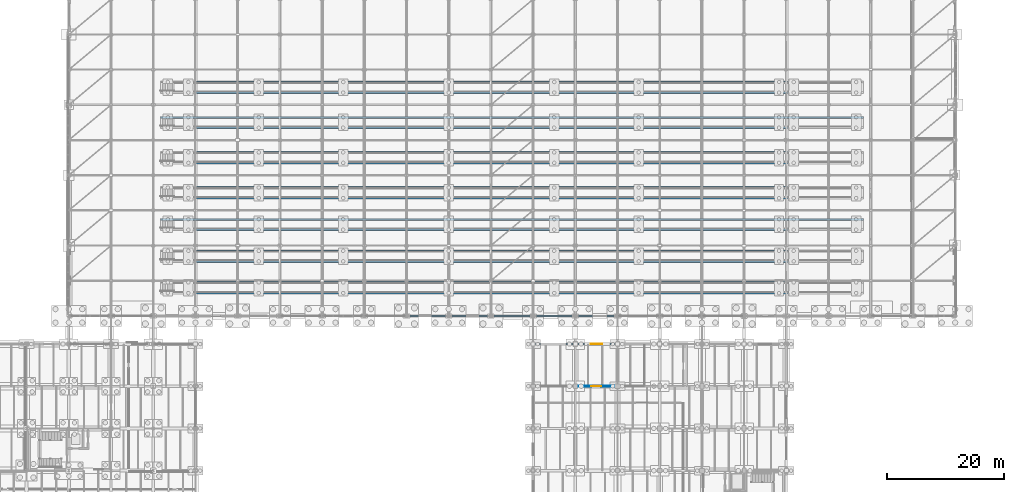
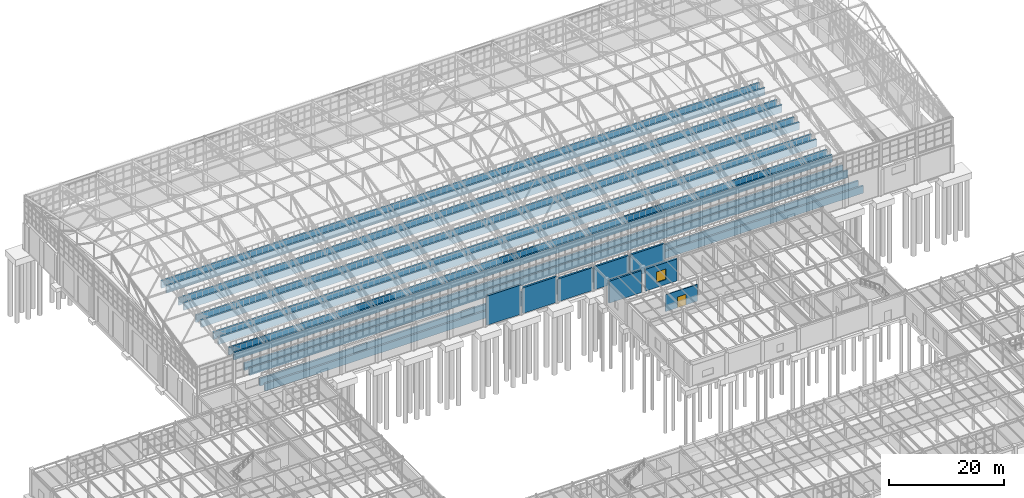
# One storey, part 269 of 293: 22 walls, 1 door, 1 window, 2 openings.
"""IFC4 building model written with IfcOpenShell, lengths in metres."""

from ifc_helpers import new_model, si_unit, direction, frame, frame_2d, origin, place, context, subcontext, project, spatial, rectangle, extrude, material, layer, layer_set, type_object, element, fill, save


model = new_model("IFC4")

# Units and contexts
model_context = context("Model", 3, precision=1e-05, world=origin(), true_north=direction((0.0, 1.0)))
body_context = subcontext(model_context, "Body", "Model", "MODEL_VIEW")
ifc_project = project(units=[si_unit("LENGTHUNIT", "METRE"), si_unit("AREAUNIT", "SQUARE_METRE"), si_unit("VOLUMEUNIT", "CUBIC_METRE"), si_unit("PLANEANGLEUNIT", "RADIAN"), si_unit("MASSUNIT", "GRAM", prefix="KILO")], contexts=[model_context])

# Site, building, storey
site_placement = place(None, origin())
site = spatial("IfcSite", under=ifc_project, at=site_placement, CompositionType="ELEMENT")
building_placement = place(site_placement, origin())
building = spatial("IfcBuilding", under=site, at=building_placement, Name="Kemerveld Promenade Tramway Depot", CompositionType="ELEMENT")
storey_placement = place(building_placement, origin())
storey = spatial("IfcBuildingStorey", under=building, at=storey_placement, Name="L00", CompositionType="ELEMENT", Elevation=0.0)

# Walls
ifc_material_1 = material(Name="Harare granite ashlar and clay brick cavity masonry", Category="masonry")
ifc_layer_1 = layer(ifc_material_1, 0.3798828125)
ifc_layer_set_1 = layer_set([ifc_layer_1], Name="WL-EXT-380")
wall_type_1 = type_object("IfcWallType", Name="WL-EXT-380", PredefinedType="SOLIDWALL", material=ifc_layer_set_1)
wall_1_placement = place(storey_placement, frame((100.576904296875, 84.0, 0.0), z_axis=(0.0, 0.0, 1.0), x_axis=(-1.0, 0.0, 0.0)))
element("IfcWall", 1, at=wall_1_placement, inside=storey, type_object=wall_type_1, Name="WL-V1-S-09", PredefinedType="SOLIDWALL", context=body_context, shape_type="SweptSolid", body=[
    extrude(rectangle(XDim=6.753662109375, YDim=0.3798828125, at=frame_2d((3.376953125, 0.0))), origin(), (0.0, 0.0, 1.0), 6.199951171875),
])
wall_2_placement = place(storey_placement, frame((107.77685546875, 84.0, 0.0), z_axis=(0.0, 0.0, 1.0), x_axis=(-1.0, 0.0, 0.0)))
element("IfcWall", 2, at=wall_2_placement, inside=storey, type_object=wall_type_1, Name="WL-V1-S-10", PredefinedType="SOLIDWALL", context=body_context, shape_type="SweptSolid", body=[
    extrude(rectangle(XDim=6.753662109375, YDim=0.3798828125, at=frame_2d((3.376953125, 0.0))), origin(), (0.0, 0.0, 1.0), 5.443359375),
])
for number, where, z_axis, x_axis, name in (
    (3, (114.976806640625, 84.0, 0.0), (0.0, 0.0, 1.0), (-1.0, 0.0, 0.0), "WL-V1-S-11"),
    (4, (122.1767578125, 84.0, 0.0), (0.0, 0.0, 1.0), (-1.0, 0.0, 0.0), "WL-V1-S-12"),
):
    element("IfcWall", number, at=place(storey_placement, frame(where, z_axis=z_axis, x_axis=x_axis)), inside=storey, type_object=wall_type_1, Name=name, PredefinedType="SOLIDWALL", context=body_context, shape_type="SweptSolid", body=[
        extrude(rectangle(XDim=6.753662109375, YDim=0.3798828125, at=frame_2d((3.376953125, 0.0))), origin(), (0.0, 0.0, 1.0), 4.843505859375),
    ])
wall_3_placement = place(storey_placement, frame((129.376708984375, 84.0, 0.0), z_axis=(0.0, 0.0, 1.0), x_axis=(-1.0, 0.0, 0.0)))
element("IfcWall", 5, at=wall_3_placement, inside=storey, type_object=wall_type_1, Name="WL-V1-S-13", PredefinedType="SOLIDWALL", context=body_context, shape_type="SweptSolid", body=[
    extrude(rectangle(XDim=6.75341796875, YDim=0.3798828125, at=frame_2d((3.376708984375, 0.0))), origin(), (0.0, 0.0, 1.0), 4.843505859375),
])
wall_4_placement = place(storey_placement, frame((115.570068359375, 79.199951171875, 0.0), z_axis=(0.0, 0.0, 1.0), x_axis=(1.0, 0.0, 0.0)))
element("IfcWall", 6, at=wall_4_placement, inside=storey, type_object=wall_type_1, Name="WL-L00-V3N-01", PredefinedType="SOLIDWALL", context=body_context, shape_type="SweptSolid", body=[
    extrude(rectangle(XDim=6.409912109375, YDim=0.3798828125, at=frame_2d((3.205078125, 0.0))), origin(), (0.0, 0.0, 1.0), 4.64990234375),
])

# Wall, opening, window
wall_5_placement = place(storey_placement, frame((122.820068359375, 79.199951171875, 0.0), z_axis=(0.0, 0.0, 1.0), x_axis=(1.0, 0.0, 0.0)))
wall_5 = element("IfcWall", 7, at=wall_5_placement, inside=storey, type_object=wall_type_1, Name="WL-L00-V3N-02", PredefinedType="SOLIDWALL", context=body_context, shape_type="SweptSolid", body=[
    extrude(rectangle(XDim=6.3349609375, YDim=0.3798828125, at=frame_2d((3.16748046875, 0.0))), origin(), (0.0, 0.0, 1.0), 4.64990234375),
])
opening_1_placement = place(wall_5_placement, frame((2.19189453125, 0.0, 1.050048828125)))
opening_1 = element("IfcOpeningElement", 8, at=opening_1_placement, cuts=wall_5, Name="Opening W-122", PredefinedType="OPENING", context=body_context, shape_type="SweptSolid", body=[
    extrude(rectangle(XDim=1.949951171875, YDim=2.25, at=frame_2d((0.97509765625, 1.125))), frame((0.0, 0.199951171875, 0.0), z_axis=(0.0, -1.0, 0.0), x_axis=(1.0, 0.0, 0.0)), (0.0, 0.0, 1.0), 0.39990234375),
])
ifc_material_2 = material(Name="Bronze anodised aluminium and low-e glass", Category="aluminium")
window_type = type_object("IfcWindowType", Name="WN-15", PartitioningType="SINGLE_PANEL", PredefinedType="WINDOW", material=ifc_material_2)
window_placement = place(opening_1_placement, origin())
window = element("IfcWindow", 9, at=window_placement, inside=storey, type_object=window_type, Name="WN-L00-V3N-02", OverallHeight=2.25, OverallWidth=1.949951171875, PartitioningType="SINGLE_PANEL", PredefinedType="WINDOW", context=body_context, shape_type="SweptSolid", body=[
    extrude(rectangle(XDim=1.949951171875, YDim=2.25, at=frame_2d((0.97509765625, 1.125))), frame((0.0, 0.030029296875, 0.0), z_axis=(0.0, -1.0, 0.0), x_axis=(1.0, 0.0, 0.0)), (0.0, 0.0, 1.0), 0.06005859375),
])
fill(opening_1, window)

# Walls
ifc_material_3 = material(Name="Concrete C40/50", Category="concrete")
ifc_layer_2 = layer(ifc_material_3, 0.35009765625)
ifc_layer_set_2 = layer_set([ifc_layer_2], Name="WL-PIT350")
wall_type_2 = type_object("IfcWallType", Name="WL-PIT350", PredefinedType="USERDEFINED", material=ifc_layer_set_2)
for number, where, z_axis, x_axis, name in (
    (10, (51.64990234375, 89.675048828125, -1.550048828125), (0.0, 0.0, 1.0), (1.0, 0.0, 0.0), "WL-PIT-01-N"),
    (11, (51.64990234375, 87.925048828125, -1.550048828125), (0.0, 0.0, 1.0), (1.0, 0.0, 0.0), "WL-PIT-01-S"),
    (12, (51.64990234375, 95.074951171875, -1.550048828125), (0.0, 0.0, 1.0), (1.0, 0.0, 0.0), "WL-PIT-02-N"),
    (13, (51.64990234375, 93.324951171875, -1.550048828125), (0.0, 0.0, 1.0), (1.0, 0.0, 0.0), "WL-PIT-02-S"),
    (14, (51.64990234375, 100.47509765625, -1.550048828125), (0.0, 0.0, 1.0), (1.0, 0.0, 0.0), "WL-PIT-03-N"),
    (15, (51.64990234375, 98.72509765625, -1.550048828125), (0.0, 0.0, 1.0), (1.0, 0.0, 0.0), "WL-PIT-03-S"),
    (16, (51.64990234375, 105.875, -1.550048828125), (0.0, 0.0, 1.0), (1.0, 0.0, 0.0), "WL-PIT-04-N"),
    (17, (51.64990234375, 104.125, -1.550048828125), (0.0, 0.0, 1.0), (1.0, 0.0, 0.0), "WL-PIT-04-S"),
    (18, (51.64990234375, 111.875, -1.550048828125), (0.0, 0.0, 1.0), (1.0, 0.0, 0.0), "WL-PIT-05-N"),
    (19, (51.64990234375, 110.125, -1.550048828125), (0.0, 0.0, 1.0), (1.0, 0.0, 0.0), "WL-PIT-05-S"),
    (20, (51.64990234375, 117.875, -1.550048828125), (0.0, 0.0, 1.0), (1.0, 0.0, 0.0), "WL-PIT-06-N"),
    (21, (51.64990234375, 116.125, -1.550048828125), (0.0, 0.0, 1.0), (1.0, 0.0, 0.0), "WL-PIT-06-S"),
    (22, (51.64990234375, 123.875, -1.550048828125), (0.0, 0.0, 1.0), (1.0, 0.0, 0.0), "WL-PIT-07-N"),
    (23, (51.64990234375, 122.125, -1.550048828125), (0.0, 0.0, 1.0), (1.0, 0.0, 0.0), "WL-PIT-07-S"),
):
    element("IfcWall", number, at=place(storey_placement, frame(where, z_axis=z_axis, x_axis=x_axis)), inside=storey, type_object=wall_type_2, Name=name, ObjectType="RETAINING_WALL", PredefinedType="USERDEFINED", context=body_context, shape_type="SweptSolid", body=[
        extrude(rectangle(XDim=119.900146484375, YDim=0.35009765625, at=frame_2d((59.9501953125, 0.0))), origin(), (0.0, 0.0, 1.0), 1.550048828125),
    ])

# Wall, opening, door
ifc_material_4 = material(Name="Acoustic twin-stud gypsum partition")
ifc_layer_3 = layer(ifc_material_4, 0.159912109375)
ifc_layer_set_3 = layer_set([ifc_layer_3], Name="WL-PRT-160")
wall_type_3 = type_object("IfcWallType", Name="WL-PRT-160", PredefinedType="PARTITIONING", material=ifc_layer_set_3)
wall_6_placement = place(storey_placement, frame((122.751953125, 72.0, 0.0), z_axis=(0.0, 0.0, 1.0), x_axis=(1.0, 0.0, 0.0)))
wall_6 = element("IfcWall", 24, at=wall_6_placement, inside=storey, type_object=wall_type_3, Name="WL-PRT-RM-L00-V3-RECL", PredefinedType="PARTITIONING", context=body_context, shape_type="SweptSolid", body=[
    extrude(rectangle(XDim=6.446044921875, YDim=0.159912109375, at=frame_2d((3.22314453125, 0.0))), origin(), (0.0, 0.0, 1.0), 3.550048828125),
])
opening_2_placement = place(wall_6_placement, frame((2.347900390625, 0.0, 0.0)))
opening_2 = element("IfcOpeningElement", 25, at=opening_2_placement, cuts=wall_6, Name="Opening D-598", PredefinedType="OPENING", context=body_context, shape_type="SweptSolid", body=[
    extrude(rectangle(XDim=1.75, YDim=2.25, at=frame_2d((0.875, 1.125))), frame((0.0, 0.08984375, 0.0), z_axis=(0.0, -1.0, 0.0), x_axis=(1.0, 0.0, 0.0)), (0.0, 0.0, 1.0), 0.179931640625),
])
ifc_material_5 = material(Name="Double workshop equipment door")
door_type = type_object("IfcDoorType", Name="DR-INT06", OperationType="DOUBLE_SWING_LEFT", PredefinedType="DOOR", material=ifc_material_5)
door_placement = place(opening_2_placement, origin())
door = element("IfcDoor", 26, at=door_placement, inside=storey, type_object=door_type, Name="DR-RM-RM-L00-V3-RECL", OperationType="DOUBLE_SWING_LEFT", OverallHeight=2.25, OverallWidth=1.75, PredefinedType="DOOR", context=body_context, shape_type="SweptSolid", body=[
    extrude(rectangle(XDim=1.75, YDim=2.25, at=frame_2d((0.875, 1.125))), frame((0.0, 0.02490234375, 0.0), z_axis=(0.0, -1.0, 0.0), x_axis=(1.0, 0.0, 0.0)), (0.0, 0.0, 1.0), 0.050048828125),
])
fill(opening_2, door)

save(model, "model.ifc")
